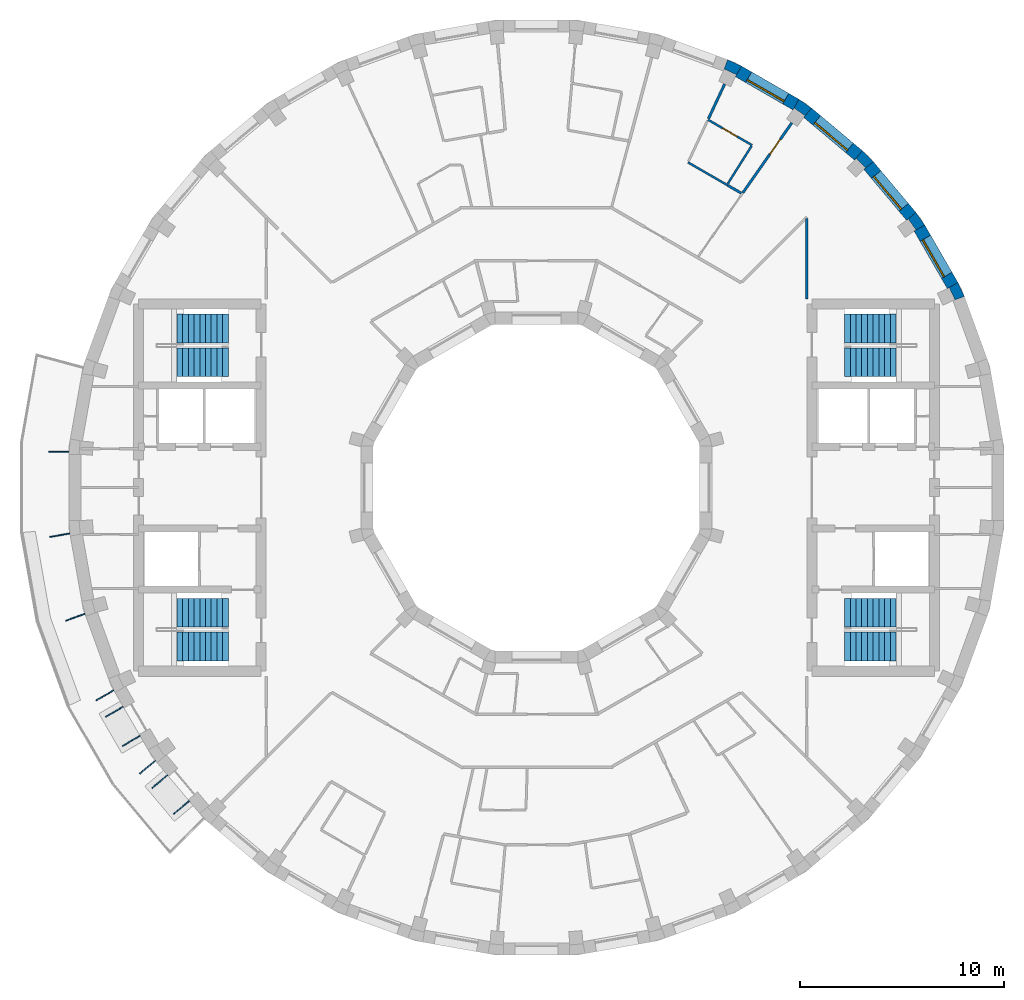
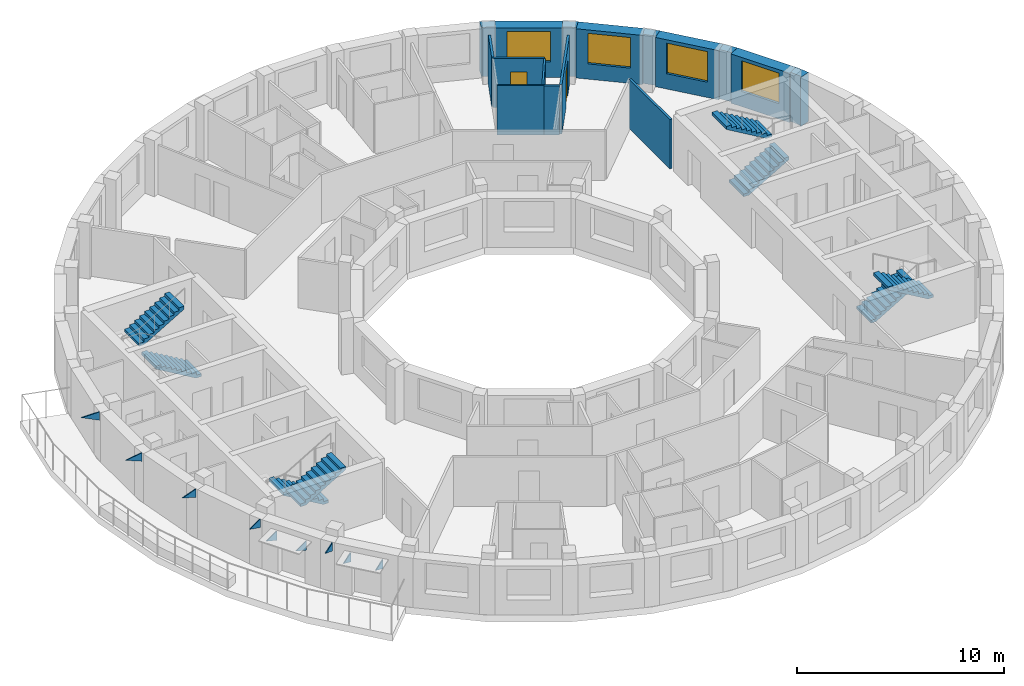
# One storey, part 9 of 10: 16 walls, 9 discrete accessories, 8 stair flights, 4 windows, 2 doors, 6 openings, 4 elements without a shape of their own.
"""IFC4 building model written with IfcOpenShell, lengths in metres."""

from ifc_helpers import new_model, si_unit, direction, frame, frame_2d, origin, place, context, subcontext, project, spatial, polyline, rectangle, outline, extrude, material, layer, layer_set, type_object, element, fill, aggregate, save


model = new_model("IFC4")

# Units and contexts
model_context = context("Model", 3, precision=1e-05, world=origin(), true_north=direction((0.0, 1.0)))
body_context = subcontext(model_context, "Body", "Model", "MODEL_VIEW")
ifc_project = project(units=[si_unit("LENGTHUNIT", "METRE"), si_unit("AREAUNIT", "SQUARE_METRE"), si_unit("VOLUMEUNIT", "CUBIC_METRE"), si_unit("PLANEANGLEUNIT", "RADIAN"), si_unit("MASSUNIT", "GRAM", prefix="KILO")], contexts=[model_context])

# Site, building, storey
site_placement = place(None, origin())
site = spatial("IfcSite", under=ifc_project, at=site_placement, CompositionType="ELEMENT")
building_placement = place(site_placement, origin())
building = spatial("IfcBuilding", under=site, at=building_placement, Name="Saqina Gate Tower", CompositionType="ELEMENT")
storey_placement = place(building_placement, frame((0.0, 0.0, 252.800048828125)))
storey = spatial("IfcBuildingStorey", under=building, at=storey_placement, Name="L72", CompositionType="ELEMENT", Elevation=252.800048828125)

# Walls
ifc_material_1 = material(Name="Brick masonry (buff)", Category="masonry")
wall_type_1 = type_object("IfcWallType", Name="BRICK PIER COPING BUFF", PredefinedType="SOLIDWALL", material=ifc_material_1)
wall_1_placement = place(storey_placement, origin())
element("IfcWall", 1, at=wall_1_placement, inside=storey, type_object=wall_type_1, Name="Pier cap L72 column 3", PredefinedType="SOLIDWALL", context=body_context, shape_type="SweptSolid", body=[
    extrude(outline(polyline([(20.974609375, 9.3642578125), (20.65576171875, 10.048095703125), (20.135986328125, 9.748291015625), (20.23193359375, 9.79296875), (20.506591796875, 9.203857421875), (20.410888671875, 9.1591796875), (20.974609375, 9.3642578125)])), origin(), (0.0, 0.0, 1.0), 2.89990234375),
])
wall_2_placement = place(storey_placement, origin())
element("IfcWall", 2, at=wall_2_placement, inside=storey, type_object=wall_type_1, Name="Pier cap L72 column 4", PredefinedType="SOLIDWALL", context=body_context, shape_type="SweptSolid", body=[
    extrude(outline(polyline([(19.02978515625, 12.8642578125), (18.59716796875, 13.482421875), (18.137451171875, 13.0966796875), (18.22412109375, 13.157470703125), (18.596923828125, 12.625), (18.51025390625, 12.564208984375), (19.02978515625, 12.8642578125)])), origin(), (0.0, 0.0, 1.0), 2.89990234375),
])
wall_3_placement = place(storey_placement, origin())
element("IfcWall", 3, at=wall_3_placement, inside=storey, type_object=wall_type_1, Name="Pier cap L72 column 5", PredefinedType="SOLIDWALL", context=body_context, shape_type="SweptSolid", body=[
    extrude(outline(polyline([(15.973388671875, 16.5068359375), (15.587646484375, 16.04736328125), (15.662353515625, 16.1220703125), (16.1220703125, 15.662353515625), (16.04736328125, 15.587646484375), (16.5068359375, 15.973388671875), (15.973388671875, 16.5068359375)])), origin(), (0.0, 0.0, 1.0), 2.89990234375),
])
wall_4_placement = place(storey_placement, origin())
element("IfcWall", 4, at=wall_4_placement, inside=storey, type_object=wall_type_1, Name="Pier cap L72 column 6", PredefinedType="SOLIDWALL", context=body_context, shape_type="SweptSolid", body=[
    extrude(outline(polyline([(12.8642578125, 19.02978515625), (12.564208984375, 18.51025390625), (12.625, 18.596923828125), (13.157470703125, 18.22412109375), (13.0966796875, 18.137451171875), (13.482421875, 18.59716796875), (12.8642578125, 19.02978515625)])), origin(), (0.0, 0.0, 1.0), 2.89990234375),
])
wall_5_placement = place(storey_placement, origin())
element("IfcWall", 5, at=wall_5_placement, inside=storey, type_object=wall_type_1, Name="Pier cap L72 column 7", PredefinedType="SOLIDWALL", context=body_context, shape_type="SweptSolid", body=[
    extrude(outline(polyline([(10.048095703125, 20.65576171875), (9.3642578125, 20.974609375), (9.1591796875, 20.410888671875), (9.203857421875, 20.506591796875), (9.79296875, 20.23193359375), (9.748291015625, 20.135986328125), (10.048095703125, 20.65576171875)])), origin(), (0.0, 0.0, 1.0), 2.89990234375),
])

# Wall, opening, window
ifc_material_2 = material(Name="Brick masonry (buff)", Category="masonry")
ifc_layer_1 = layer(ifc_material_2, 0.60009765625)
ifc_layer_set_1 = layer_set([ifc_layer_1], Name="FW-BRICK-BUFF")
wall_type_2 = type_object("IfcWallType", Name="FW-BRICK-BUFF", PredefinedType="SOLIDWALL", material=ifc_layer_set_1)
wall_6_placement = place(storey_placement, frame((20.39599609375, 9.898193359375, 0.0), z_axis=(0.0, 0.0, 1.0), x_axis=(-0.500014901547, 0.866016800201, 0.0)))
wall_6 = element("IfcWall", 6, at=wall_6_placement, inside=storey, type_object=wall_type_2, Name="Facade wall L72 facet 3", PredefinedType="SOLIDWALL", context=body_context, shape_type="SweptSolid", body=[
    extrude(rectangle(XDim=3.251953125, YDim=0.60009765625, at=frame_2d((1.6259765625, 0.0))), origin(), (0.0, 0.0, 1.0), 2.89990234375),
])
opening_1_placement = place(wall_6_placement, frame((0.57568359375, 0.0, 0.89990234375)))
opening_1 = element("IfcOpeningElement", 7, at=opening_1_placement, cuts=wall_6, Name="Opening G21-W01", PredefinedType="OPENING", context=body_context, shape_type="SweptSolid", body=[
    extrude(rectangle(XDim=2.10009765625, YDim=1.800048828125, at=frame_2d((1.050048828125, 0.89990234375))), frame((0.0, 0.31201171875, 0.0), z_axis=(0.0, -1.0, 0.0), x_axis=(1.0, 0.0, 0.0)), (0.0, 0.0, 1.0), 0.6240234375),
])
ifc_material_3 = material(Name="Aluminium glazing", Category="aluminium")
window_type = type_object("IfcWindowType", Name="WN-D", PartitioningType="SINGLE_PANEL", PredefinedType="WINDOW", material=ifc_material_3)
window_1_placement = place(opening_1_placement, origin())
window_1 = element("IfcWindow", 8, at=window_1_placement, inside=storey, type_object=window_type, Name="Window L72 facet 3", OverallHeight=1.800048828125, OverallWidth=2.10009765625, PartitioningType="SINGLE_PANEL", PredefinedType="WINDOW", context=body_context, shape_type="SweptSolid", body=[
    extrude(rectangle(XDim=2.10009765625, YDim=1.800048828125, at=frame_2d((1.050048828125, 0.89990234375))), frame((0.0, 0.179931640625, 0.0), z_axis=(0.0, -1.0, 0.0), x_axis=(1.0, 0.0, 0.0)), (0.0, 0.0, 1.0), 0.06005859375),
])
fill(opening_1, window_1)

wall_7_placement = place(storey_placement, frame((18.3671875, 13.28955078125, 0.0), z_axis=(0.0, 0.0, 1.0), x_axis=(-0.64277291405, 0.766056773982, 0.0)))
wall_7 = element("IfcWall", 9, at=wall_7_placement, inside=storey, type_object=wall_type_2, Name="Facade wall L72 facet 4", PredefinedType="SOLIDWALL", context=body_context, shape_type="SweptSolid", body=[
    extrude(rectangle(XDim=3.251708984375, YDim=0.60009765625, at=frame_2d((1.6259765625, 0.0))), origin(), (0.0, 0.0, 1.0), 2.89990234375),
])
opening_2_placement = place(wall_7_placement, frame((0.57568359375, 0.0, 0.89990234375)))
opening_2 = element("IfcOpeningElement", 10, at=opening_2_placement, cuts=wall_7, Name="Opening G21-W02", PredefinedType="OPENING", context=body_context, shape_type="SweptSolid", body=[
    extrude(rectangle(XDim=2.10009765625, YDim=1.800048828125, at=frame_2d((1.050048828125, 0.89990234375))), frame((0.0, 0.31201171875, 0.0), z_axis=(0.0, -1.0, 0.0), x_axis=(1.0, 0.0, 0.0)), (0.0, 0.0, 1.0), 0.6240234375),
])
window_2_placement = place(opening_2_placement, origin())
window_2 = element("IfcWindow", 11, at=window_2_placement, inside=storey, type_object=window_type, Name="Window L72 facet 4", OverallHeight=1.800048828125, OverallWidth=2.10009765625, PartitioningType="SINGLE_PANEL", PredefinedType="WINDOW", context=body_context, shape_type="SweptSolid", body=[
    extrude(rectangle(XDim=2.10009765625, YDim=1.800048828125, at=frame_2d((1.050048828125, 0.89990234375))), frame((0.0, 0.179931640625, 0.0), z_axis=(0.0, -1.0, 0.0), x_axis=(1.0, 0.0, 0.0)), (0.0, 0.0, 1.0), 0.06005859375),
])
fill(opening_2, window_2)

wall_8_placement = place(storey_placement, frame((15.780517578125, 16.277099609375, 0.0), z_axis=(0.0, 0.0, 1.0), x_axis=(-0.766056773982, 0.64277291405, 0.0)))
wall_8 = element("IfcWall", 12, at=wall_8_placement, inside=storey, type_object=wall_type_2, Name="Facade wall L72 facet 5", PredefinedType="SOLIDWALL", context=body_context, shape_type="SweptSolid", body=[
    extrude(rectangle(XDim=3.251708984375, YDim=0.60009765625, at=frame_2d((1.6259765625, 0.0))), origin(), (0.0, 0.0, 1.0), 2.89990234375),
])
opening_3_placement = place(wall_8_placement, frame((0.57568359375, 0.0, 0.89990234375)))
opening_3 = element("IfcOpeningElement", 13, at=opening_3_placement, cuts=wall_8, Name="Opening G21-W03", PredefinedType="OPENING", context=body_context, shape_type="SweptSolid", body=[
    extrude(rectangle(XDim=2.10009765625, YDim=1.800048828125, at=frame_2d((1.050048828125, 0.89990234375))), frame((0.0, 0.31201171875, 0.0), z_axis=(0.0, -1.0, 0.0), x_axis=(1.0, 0.0, 0.0)), (0.0, 0.0, 1.0), 0.6240234375),
])
window_3_placement = place(opening_3_placement, origin())
window_3 = element("IfcWindow", 14, at=window_3_placement, inside=storey, type_object=window_type, Name="Window L72 facet 5", OverallHeight=1.800048828125, OverallWidth=2.10009765625, PartitioningType="SINGLE_PANEL", PredefinedType="WINDOW", context=body_context, shape_type="SweptSolid", body=[
    extrude(rectangle(XDim=2.10009765625, YDim=1.800048828125, at=frame_2d((1.050048828125, 0.89990234375))), frame((0.0, 0.179931640625, 0.0), z_axis=(0.0, -1.0, 0.0), x_axis=(1.0, 0.0, 0.0)), (0.0, 0.0, 1.0), 0.06005859375),
])
fill(opening_3, window_3)

wall_9_placement = place(storey_placement, frame((12.71435546875, 18.77001953125, 0.0), z_axis=(0.0, 0.0, 1.0), x_axis=(-0.866016800201, 0.500014901547, 0.0)))
wall_9 = element("IfcWall", 15, at=wall_9_placement, inside=storey, type_object=wall_type_2, Name="Facade wall L72 facet 6", PredefinedType="SOLIDWALL", context=body_context, shape_type="SweptSolid", body=[
    extrude(rectangle(XDim=3.251953125, YDim=0.60009765625, at=frame_2d((1.6259765625, 0.0))), origin(), (0.0, 0.0, 1.0), 2.89990234375),
])
opening_4_placement = place(wall_9_placement, frame((0.57568359375, 0.0, 0.89990234375)))
opening_4 = element("IfcOpeningElement", 16, at=opening_4_placement, cuts=wall_9, Name="Opening G21-W04", PredefinedType="OPENING", context=body_context, shape_type="SweptSolid", body=[
    extrude(rectangle(XDim=2.10009765625, YDim=1.800048828125, at=frame_2d((1.050048828125, 0.89990234375))), frame((0.0, 0.31201171875, 0.0), z_axis=(0.0, -1.0, 0.0), x_axis=(1.0, 0.0, 0.0)), (0.0, 0.0, 1.0), 0.6240234375),
])
window_4_placement = place(opening_4_placement, origin())
window_4 = element("IfcWindow", 17, at=window_4_placement, inside=storey, type_object=window_type, Name="Window L72 facet 6", OverallHeight=1.800048828125, OverallWidth=2.10009765625, PartitioningType="SINGLE_PANEL", PredefinedType="WINDOW", context=body_context, shape_type="SweptSolid", body=[
    extrude(rectangle(XDim=2.10009765625, YDim=1.800048828125, at=frame_2d((1.050048828125, 0.89990234375))), frame((0.0, 0.179931640625, 0.0), z_axis=(0.0, -1.0, 0.0), x_axis=(1.0, 0.0, 0.0)), (0.0, 0.0, 1.0), 0.06005859375),
])
fill(opening_4, window_4)

# Wall
ifc_material_4 = material(Name="Gypsum board on steel studs, 100 mm", Category="steel")
ifc_layer_2 = layer(ifc_material_4, 0.10009765625)
ifc_layer_set_2 = layer_set([ifc_layer_2], Name="PARTITION 100")
wall_type_3 = type_object("IfcWallType", Name="PARTITION 100", PredefinedType="PARTITIONING", material=ifc_layer_set_2)
wall_10_placement = place(storey_placement, frame((7.430908203125, 15.930908203125, 0.0), z_axis=(0.0, 0.0, 1.0), x_axis=(0.866046587367, -0.499963307164, 0.0)))
element("IfcWall", 18, at=wall_10_placement, inside=storey, type_object=wall_type_3, Name="PARTITION PW3-18", PredefinedType="PARTITIONING", context=body_context, shape_type="SweptSolid", body=[
    extrude(rectangle(XDim=2.252197265625, YDim=0.10009765625, at=frame_2d((1.1259765625, 0.0))), origin(), (0.0, 0.0, 1.0), 2.89990234375),
])

# Wall, opening, door
wall_11_placement = place(storey_placement, frame((8.405029296875, 18.02490234375, 0.0), z_axis=(0.0, 0.0, 1.0), x_axis=(0.866060068719, -0.499939953764, 0.0)))
wall_11 = element("IfcWall", 19, at=wall_11_placement, inside=storey, type_object=wall_type_3, Name="PARTITION PW3-19", PredefinedType="PARTITIONING", context=body_context, shape_type="SweptSolid", body=[
    extrude(rectangle(XDim=2.493896484375, YDim=0.10009765625, at=frame_2d((1.2470703125, 0.0))), origin(), (0.0, 0.0, 1.0), 2.89990234375),
])
opening_5_placement = place(wall_11_placement, frame((0.84716796875, 0.0, 0.0)))
opening_5 = element("IfcOpeningElement", 20, at=opening_5_placement, cuts=wall_11, Name="Opening G21-D07", PredefinedType="OPENING", context=body_context, shape_type="SweptSolid", body=[
    extrude(rectangle(XDim=0.800048828125, YDim=2.10009765625, at=frame_2d((0.39990234375, 1.050048828125))), frame((0.0, 0.06201171875, 0.0), z_axis=(0.0, -1.0, 0.0), x_axis=(1.0, 0.0, 0.0)), (0.0, 0.0, 1.0), 0.1240234375),
])
ifc_material_5 = material(Name="Timber door leaf, 800 mm", Category="wood")
door_type_1 = type_object("IfcDoorType", Name="DOOR 800 TIMBER", OperationType="SINGLE_SWING_LEFT", PredefinedType="DOOR", material=ifc_material_5)
door_1_placement = place(opening_5_placement, origin())
door_1 = element("IfcDoor", 21, at=door_1_placement, inside=storey, type_object=door_type_1, Name="DOOR G21-D07", OperationType="SINGLE_SWING_RIGHT", OverallHeight=2.10009765625, OverallWidth=0.800048828125, PredefinedType="DOOR", context=body_context, shape_type="SweptSolid", body=[
    extrude(rectangle(XDim=0.800048828125, YDim=2.10009765625, at=frame_2d((0.39990234375, 1.050048828125))), frame((0.0, 0.02490234375, 0.0), z_axis=(0.0, -1.0, 0.0), x_axis=(1.0, 0.0, 0.0)), (0.0, 0.0, 1.0), 0.050048828125),
])
fill(opening_5, door_1)

# Walls
wall_12_placement = place(storey_placement, frame((9.371337890625, 14.8828125, 0.0), z_axis=(0.0, 0.0, 1.0), x_axis=(0.532952249521, 0.846145318329, 0.0)))
element("IfcWall", 22, at=wall_12_placement, inside=storey, type_object=wall_type_3, Name="PARTITION PW3-39", PredefinedType="PARTITIONING", context=body_context, shape_type="SweptSolid", body=[
    extrude(rectangle(XDim=2.189697265625, YDim=0.10009765625, at=frame_2d((1.0947265625, 0.0))), origin(), (0.0, 0.0, 1.0), 2.89990234375),
])
ifc_material_6 = material(Name="Gypsum board on steel studs, 125 mm, fire rated", Category="steel")
ifc_layer_3 = layer(ifc_material_6, 0.125)
ifc_layer_set_3 = layer_set([ifc_layer_3], Name="PARTITION EI 30 125")
wall_type_4 = type_object("IfcWallType", Name="PARTITION EI 30 125", PredefinedType="PARTITIONING", material=ifc_layer_set_3)
wall_13_placement = place(storey_placement, frame((9.38134765625, 14.804931640625, 0.0), z_axis=(0.0, 0.0, 1.0), x_axis=(0.866088799389, -0.499890179513, 0.0)))
element("IfcWall", 23, at=wall_13_placement, inside=storey, type_object=wall_type_4, Name="PARTITION PW1-13", PredefinedType="PARTITIONING", context=body_context, shape_type="SweptSolid", body=[
    extrude(rectangle(XDim=0.756103515625, YDim=0.125, at=frame_2d((0.3779296875, 0.0))), origin(), (0.0, 0.0, 1.0), 2.89990234375),
])

# Wall, opening, door
wall_14_placement = place(storey_placement, frame((10.111572265625, 14.44091796875, 0.0), z_axis=(0.0, 0.0, 1.0), x_axis=(0.57362673896, 0.819116819721, 0.0)))
wall_14 = element("IfcWall", 24, at=wall_14_placement, inside=storey, type_object=wall_type_4, Name="PARTITION PW1-32", PredefinedType="PARTITIONING", context=body_context, shape_type="SweptSolid", body=[
    extrude(rectangle(XDim=4.185791015625, YDim=0.125, at=frame_2d((2.0927734375, 0.0))), origin(), (0.0, 0.0, 1.0), 2.89990234375),
])
opening_6_placement = place(wall_14_placement, frame((2.309326171875, 0.0, 0.0)))
opening_6 = element("IfcOpeningElement", 25, at=opening_6_placement, cuts=wall_14, Name="Opening G21-D05", PredefinedType="OPENING", context=body_context, shape_type="SweptSolid", body=[
    extrude(rectangle(XDim=0.89990234375, YDim=2.10009765625, at=frame_2d((0.449951171875, 1.050048828125))), frame((0.0, 0.074462890625, 0.0), z_axis=(0.0, -1.0, 0.0), x_axis=(1.0, 0.0, 0.0)), (0.0, 0.0, 1.0), 0.14892578125),
])
ifc_material_7 = material(Name="Fire door leaf EI 30, 900 mm")
door_type_2 = type_object("IfcDoorType", Name="DOOR 900 EI 30", OperationType="SINGLE_SWING_LEFT", PredefinedType="DOOR", material=ifc_material_7)
door_2_placement = place(opening_6_placement, frame((0.89990234375, 0.0, 0.0), z_axis=(0.0, 0.0, 1.0), x_axis=(-1.0, 0.0, 0.0)))
door_2 = element("IfcDoor", 26, at=door_2_placement, inside=storey, type_object=door_type_2, Name="DOOR G21-D05", OperationType="SINGLE_SWING_LEFT", OverallHeight=2.10009765625, OverallWidth=0.89990234375, PredefinedType="DOOR", context=body_context, shape_type="SweptSolid", body=[
    extrude(rectangle(XDim=0.89990234375, YDim=2.10009765625, at=frame_2d((0.449951171875, 1.050048828125))), frame((0.0, 0.02490234375, 0.0), z_axis=(0.0, -1.0, 0.0), x_axis=(1.0, 0.0, 0.0)), (0.0, 0.0, 1.0), 0.050048828125),
])
fill(opening_6, door_2)

# Walls
wall_15_placement = place(storey_placement, frame((8.42626953125, 18.0703125, 0.0), z_axis=(0.0, 0.0, 1.0), x_axis=(0.423433748068, 0.905927072671, 0.0)))
element("IfcWall", 27, at=wall_15_placement, inside=storey, type_object=wall_type_4, Name="PARTITION PW1-34", PredefinedType="PARTITIONING", context=body_context, shape_type="SweptSolid", body=[
    extrude(rectangle(XDim=1.876708984375, YDim=0.125, at=frame_2d((0.9384765625, 0.0))), origin(), (0.0, 0.0, 1.0), 2.89990234375),
])
wall_16_placement = place(storey_placement, frame((13.25, 9.25, 0.0), z_axis=(0.0, 0.0, 1.0), x_axis=(0.0, 1.0, 0.0)))
element("IfcWall", 28, at=wall_16_placement, inside=storey, type_object=wall_type_4, Name="PARTITION PW1-39", PredefinedType="PARTITIONING", context=body_context, shape_type="SweptSolid", body=[
    extrude(rectangle(XDim=3.9375, YDim=0.125, at=frame_2d((1.96875, 0.0))), origin(), (0.0, 0.0, 1.0), 2.89990234375),
])

# Stair, stair flights
ifc_material_8 = material(Name="Concrete C40/50", Category="concrete")
stair_type = type_object("IfcStairType", Name="EXIT STAIR", PredefinedType="HALF_TURN_STAIR", material=ifc_material_8)
stair_1_placement = place(storey_placement, origin())
stair_1 = element("IfcStair", 29, at=stair_1_placement, inside=storey, type_object=stair_type, Name="EXIT STAIR 1", PredefinedType="HALF_TURN_STAIR")
ifc_material_9 = material(Name="Concrete C40/50", Category="concrete")
stair_flight_type = type_object("IfcStairFlightType", Name="EXIT STAIR FLIGHT", PredefinedType="STRAIGHT", material=ifc_material_9)
stair_flight_1_placement = place(storey_placement, frame((15.10009765625, 6.13330078125, 0.0), z_axis=(0.0, 0.0, 1.0), x_axis=(1.0, 0.0, 0.0)))
stair_flight_1 = element("IfcStairFlight", 30, at=stair_flight_1_placement, type_object=stair_flight_type, Name="EXIT STAIR 1 FLIGHT 1", NumberOfRisers=10, NumberOfTreads=9, PredefinedType="STRAIGHT", RiserHeight=0.165, TreadLength=0.28, context=body_context, shape_type="SweptSolid", body=[
    extrude(outline(polyline([(0.0, 0.0), (0.0, 0.1650390625), (0.280029296875, 0.1650390625), (0.280029296875, 0.330078125), (0.56005859375, 0.330078125), (0.56005859375, 0.4951171875), (0.840087890625, 0.4951171875), (0.840087890625, 0.659912109375), (1.1201171875, 0.659912109375), (1.1201171875, 0.824951171875), (1.39990234375, 0.824951171875), (1.39990234375, 0.989990234375), (1.679931640625, 0.989990234375), (1.679931640625, 1.155029296875), (1.9599609375, 1.155029296875), (1.9599609375, 1.320068359375), (2.239990234375, 1.320068359375), (2.239990234375, 1.485107421875), (2.52001953125, 1.485107421875), (2.52001953125, 1.64990234375), (2.52001953125, 1.31103515625), (0.295166015625, 0.0), (0.0, 0.0)])), frame((0.0, 0.699951171875, 0.0), z_axis=(0.0, -1.0, 0.0), x_axis=(1.0, 0.0, 0.0)), (0.0, 0.0, 1.0), 1.39990234375),
])
stair_flight_2_placement = place(storey_placement, frame((17.6201171875, 7.791748046875, 1.64990234375), z_axis=(0.0, 0.0, 1.0), x_axis=(-1.0, 0.0, 0.0)))
stair_flight_2 = element("IfcStairFlight", 31, at=stair_flight_2_placement, type_object=stair_flight_type, Name="EXIT STAIR 1 FLIGHT 2", NumberOfRisers=10, NumberOfTreads=9, PredefinedType="STRAIGHT", RiserHeight=0.165, TreadLength=0.28, context=body_context, shape_type="SweptSolid", body=[
    extrude(outline(polyline([(0.0, 0.0), (0.0, 0.1650390625), (0.280029296875, 0.1650390625), (0.280029296875, 0.330078125), (0.56005859375, 0.330078125), (0.56005859375, 0.4951171875), (0.840087890625, 0.4951171875), (0.840087890625, 0.659912109375), (1.1201171875, 0.659912109375), (1.1201171875, 0.824951171875), (1.39990234375, 0.824951171875), (1.39990234375, 0.989990234375), (1.679931640625, 0.989990234375), (1.679931640625, 1.155029296875), (1.9599609375, 1.155029296875), (1.9599609375, 1.320068359375), (2.239990234375, 1.320068359375), (2.239990234375, 1.485107421875), (2.52001953125, 1.485107421875), (2.52001953125, 1.64990234375), (2.52001953125, 1.31103515625), (0.295166015625, 0.0), (0.0, 0.0)])), frame((0.0, 0.699951171875, 0.0), z_axis=(0.0, -1.0, 0.0), x_axis=(1.0, 0.0, 0.0)), (0.0, 0.0, 1.0), 1.39990234375),
])
aggregate(stair_1, [stair_flight_1, stair_flight_2])

stair_2_placement = place(storey_placement, origin())
stair_2 = element("IfcStair", 32, at=stair_2_placement, inside=storey, type_object=stair_type, Name="EXIT STAIR 2", PredefinedType="HALF_TURN_STAIR")
stair_flight_3_placement = place(storey_placement, frame((15.10009765625, -6.13330078125, 0.0), z_axis=(0.0, 0.0, 1.0), x_axis=(1.0, 0.0, 0.0)))
stair_flight_3 = element("IfcStairFlight", 33, at=stair_flight_3_placement, type_object=stair_flight_type, Name="EXIT STAIR 2 FLIGHT 1", NumberOfRisers=10, NumberOfTreads=9, PredefinedType="STRAIGHT", RiserHeight=0.165, TreadLength=0.28, context=body_context, shape_type="SweptSolid", body=[
    extrude(outline(polyline([(0.0, 0.0), (0.0, 0.1650390625), (0.280029296875, 0.1650390625), (0.280029296875, 0.330078125), (0.56005859375, 0.330078125), (0.56005859375, 0.4951171875), (0.840087890625, 0.4951171875), (0.840087890625, 0.659912109375), (1.1201171875, 0.659912109375), (1.1201171875, 0.824951171875), (1.39990234375, 0.824951171875), (1.39990234375, 0.989990234375), (1.679931640625, 0.989990234375), (1.679931640625, 1.155029296875), (1.9599609375, 1.155029296875), (1.9599609375, 1.320068359375), (2.239990234375, 1.320068359375), (2.239990234375, 1.485107421875), (2.52001953125, 1.485107421875), (2.52001953125, 1.64990234375), (2.52001953125, 1.31103515625), (0.295166015625, 0.0), (0.0, 0.0)])), frame((0.0, 0.699951171875, 0.0), z_axis=(0.0, -1.0, 0.0), x_axis=(1.0, 0.0, 0.0)), (0.0, 0.0, 1.0), 1.39990234375),
])
stair_flight_4_placement = place(storey_placement, frame((17.6201171875, -7.791748046875, 1.64990234375), z_axis=(0.0, 0.0, 1.0), x_axis=(-1.0, 0.0, 0.0)))
stair_flight_4 = element("IfcStairFlight", 34, at=stair_flight_4_placement, type_object=stair_flight_type, Name="EXIT STAIR 2 FLIGHT 2", NumberOfRisers=10, NumberOfTreads=9, PredefinedType="STRAIGHT", RiserHeight=0.165, TreadLength=0.28, context=body_context, shape_type="SweptSolid", body=[
    extrude(outline(polyline([(0.0, 0.0), (0.0, 0.1650390625), (0.280029296875, 0.1650390625), (0.280029296875, 0.330078125), (0.56005859375, 0.330078125), (0.56005859375, 0.4951171875), (0.840087890625, 0.4951171875), (0.840087890625, 0.659912109375), (1.1201171875, 0.659912109375), (1.1201171875, 0.824951171875), (1.39990234375, 0.824951171875), (1.39990234375, 0.989990234375), (1.679931640625, 0.989990234375), (1.679931640625, 1.155029296875), (1.9599609375, 1.155029296875), (1.9599609375, 1.320068359375), (2.239990234375, 1.320068359375), (2.239990234375, 1.485107421875), (2.52001953125, 1.485107421875), (2.52001953125, 1.64990234375), (2.52001953125, 1.31103515625), (0.295166015625, 0.0), (0.0, 0.0)])), frame((0.0, 0.699951171875, 0.0), z_axis=(0.0, -1.0, 0.0), x_axis=(1.0, 0.0, 0.0)), (0.0, 0.0, 1.0), 1.39990234375),
])
aggregate(stair_2, [stair_flight_3, stair_flight_4])

stair_3_placement = place(storey_placement, origin())
stair_3 = element("IfcStair", 35, at=stair_3_placement, inside=storey, type_object=stair_type, Name="EXIT STAIR 3", PredefinedType="HALF_TURN_STAIR")
stair_flight_5_placement = place(storey_placement, frame((-15.10009765625, 6.13330078125, 0.0), z_axis=(0.0, 0.0, 1.0), x_axis=(-1.0, 0.0, 0.0)))
stair_flight_5 = element("IfcStairFlight", 36, at=stair_flight_5_placement, type_object=stair_flight_type, Name="EXIT STAIR 3 FLIGHT 1", NumberOfRisers=10, NumberOfTreads=9, PredefinedType="STRAIGHT", RiserHeight=0.165, TreadLength=0.28, context=body_context, shape_type="SweptSolid", body=[
    extrude(outline(polyline([(0.0, 0.0), (0.0, 0.1650390625), (0.280029296875, 0.1650390625), (0.280029296875, 0.330078125), (0.56005859375, 0.330078125), (0.56005859375, 0.4951171875), (0.840087890625, 0.4951171875), (0.840087890625, 0.659912109375), (1.1201171875, 0.659912109375), (1.1201171875, 0.824951171875), (1.39990234375, 0.824951171875), (1.39990234375, 0.989990234375), (1.679931640625, 0.989990234375), (1.679931640625, 1.155029296875), (1.9599609375, 1.155029296875), (1.9599609375, 1.320068359375), (2.239990234375, 1.320068359375), (2.239990234375, 1.485107421875), (2.52001953125, 1.485107421875), (2.52001953125, 1.64990234375), (2.52001953125, 1.31103515625), (0.295166015625, 0.0), (0.0, 0.0)])), frame((0.0, 0.699951171875, 0.0), z_axis=(0.0, -1.0, 0.0), x_axis=(1.0, 0.0, 0.0)), (0.0, 0.0, 1.0), 1.39990234375),
])
stair_flight_6_placement = place(storey_placement, frame((-17.6201171875, 7.791748046875, 1.64990234375), z_axis=(0.0, 0.0, 1.0), x_axis=(1.0, 0.0, 0.0)))
stair_flight_6 = element("IfcStairFlight", 37, at=stair_flight_6_placement, type_object=stair_flight_type, Name="EXIT STAIR 3 FLIGHT 2", NumberOfRisers=10, NumberOfTreads=9, PredefinedType="STRAIGHT", RiserHeight=0.165, TreadLength=0.28, context=body_context, shape_type="SweptSolid", body=[
    extrude(outline(polyline([(0.0, 0.0), (0.0, 0.1650390625), (0.280029296875, 0.1650390625), (0.280029296875, 0.330078125), (0.56005859375, 0.330078125), (0.56005859375, 0.4951171875), (0.840087890625, 0.4951171875), (0.840087890625, 0.659912109375), (1.1201171875, 0.659912109375), (1.1201171875, 0.824951171875), (1.39990234375, 0.824951171875), (1.39990234375, 0.989990234375), (1.679931640625, 0.989990234375), (1.679931640625, 1.155029296875), (1.9599609375, 1.155029296875), (1.9599609375, 1.320068359375), (2.239990234375, 1.320068359375), (2.239990234375, 1.485107421875), (2.52001953125, 1.485107421875), (2.52001953125, 1.64990234375), (2.52001953125, 1.31103515625), (0.295166015625, 0.0), (0.0, 0.0)])), frame((0.0, 0.699951171875, 0.0), z_axis=(0.0, -1.0, 0.0), x_axis=(1.0, 0.0, 0.0)), (0.0, 0.0, 1.0), 1.39990234375),
])
aggregate(stair_3, [stair_flight_5, stair_flight_6])

stair_4_placement = place(storey_placement, origin())
stair_4 = element("IfcStair", 38, at=stair_4_placement, inside=storey, type_object=stair_type, Name="EXIT STAIR 4", PredefinedType="HALF_TURN_STAIR")
stair_flight_7_placement = place(storey_placement, frame((-15.10009765625, -6.13330078125, 0.0), z_axis=(0.0, 0.0, 1.0), x_axis=(-1.0, 0.0, 0.0)))
stair_flight_7 = element("IfcStairFlight", 39, at=stair_flight_7_placement, type_object=stair_flight_type, Name="EXIT STAIR 4 FLIGHT 1", NumberOfRisers=10, NumberOfTreads=9, PredefinedType="STRAIGHT", RiserHeight=0.165, TreadLength=0.28, context=body_context, shape_type="SweptSolid", body=[
    extrude(outline(polyline([(0.0, 0.0), (0.0, 0.1650390625), (0.280029296875, 0.1650390625), (0.280029296875, 0.330078125), (0.56005859375, 0.330078125), (0.56005859375, 0.4951171875), (0.840087890625, 0.4951171875), (0.840087890625, 0.659912109375), (1.1201171875, 0.659912109375), (1.1201171875, 0.824951171875), (1.39990234375, 0.824951171875), (1.39990234375, 0.989990234375), (1.679931640625, 0.989990234375), (1.679931640625, 1.155029296875), (1.9599609375, 1.155029296875), (1.9599609375, 1.320068359375), (2.239990234375, 1.320068359375), (2.239990234375, 1.485107421875), (2.52001953125, 1.485107421875), (2.52001953125, 1.64990234375), (2.52001953125, 1.31103515625), (0.295166015625, 0.0), (0.0, 0.0)])), frame((0.0, 0.699951171875, 0.0), z_axis=(0.0, -1.0, 0.0), x_axis=(1.0, 0.0, 0.0)), (0.0, 0.0, 1.0), 1.39990234375),
])
stair_flight_8_placement = place(storey_placement, frame((-17.6201171875, -7.791748046875, 1.64990234375), z_axis=(0.0, 0.0, 1.0), x_axis=(1.0, 0.0, 0.0)))
stair_flight_8 = element("IfcStairFlight", 40, at=stair_flight_8_placement, type_object=stair_flight_type, Name="EXIT STAIR 4 FLIGHT 2", NumberOfRisers=10, NumberOfTreads=9, PredefinedType="STRAIGHT", RiserHeight=0.165, TreadLength=0.28, context=body_context, shape_type="SweptSolid", body=[
    extrude(outline(polyline([(0.0, 0.0), (0.0, 0.1650390625), (0.280029296875, 0.1650390625), (0.280029296875, 0.330078125), (0.56005859375, 0.330078125), (0.56005859375, 0.4951171875), (0.840087890625, 0.4951171875), (0.840087890625, 0.659912109375), (1.1201171875, 0.659912109375), (1.1201171875, 0.824951171875), (1.39990234375, 0.824951171875), (1.39990234375, 0.989990234375), (1.679931640625, 0.989990234375), (1.679931640625, 1.155029296875), (1.9599609375, 1.155029296875), (1.9599609375, 1.320068359375), (2.239990234375, 1.320068359375), (2.239990234375, 1.485107421875), (2.52001953125, 1.485107421875), (2.52001953125, 1.64990234375), (2.52001953125, 1.31103515625), (0.295166015625, 0.0), (0.0, 0.0)])), frame((0.0, 0.699951171875, 0.0), z_axis=(0.0, -1.0, 0.0), x_axis=(1.0, 0.0, 0.0)), (0.0, 0.0, 1.0), 1.39990234375),
])
aggregate(stair_4, [stair_flight_7, stair_flight_8])

# Discrete accessories
ifc_material_10 = material(Name="Galvanised steel", Category="steel")
ifc_layer_4 = layer(ifc_material_10, 0.050048828125)
ifc_layer_set_4 = layer_set([ifc_layer_4], Name="BR-AWNING")
discrete_accessory_type_1 = type_object("IfcDiscreteAccessoryType", Name="BR-AWNING", PredefinedType="BRACKET", material=ifc_layer_set_4)
for number, where, z_axis, x_axis, name in (
    (41, (-20.2431640625, -10.7626953125, 1.974853515625), (0.50002537861, -0.866010750942, 0.0), (0.0, 0.0, 1.0), "Awning bracket L72 facet 21"),
    (42, (-19.41748046875, -12.193115234375, 1.974853515625), (0.50002537861, -0.866010750942, 0.0), (0.0, 0.0, 1.0), "Awning bracket L72 facet 21"),
):
    element("IfcDiscreteAccessory", number, at=place(storey_placement, frame(where, z_axis=z_axis, x_axis=x_axis)), inside=storey, type_object=discrete_accessory_type_1, Name=name, PredefinedType="BRACKET", context=body_context, shape_type="SweptSolid", body=[
        extrude(outline(polyline([(0.0, 0.0), (0.550048828125, 0.0), (0.550048828125, 0.9999492453569568), (0.0, 0.0)])), origin(), (0.0, 0.0, -1.0), 0.050048828125),
    ])
discrete_accessory_1_placement = place(storey_placement, frame((-18.06689453125, -14.114501953125, 1.974853515625), z_axis=(0.64275098807, -0.766075170812, 0.0), x_axis=(0.0, 0.0, 1.0)))
element("IfcDiscreteAccessory", 43, at=discrete_accessory_1_placement, inside=storey, type_object=discrete_accessory_type_1, Name="Awning bracket L72 facet 22", PredefinedType="BRACKET", context=body_context, shape_type="SweptSolid", body=[
    extrude(outline(polyline([(0.0, 0.0), (0.550048828125, 0.0), (0.550048828125, 0.9997310574800564), (0.0, 0.0)])), origin(), (0.0, 0.0, -1.0), 0.050048828125),
])
discrete_accessory_2_placement = place(storey_placement, frame((-17.005126953125, -15.379638671875, 1.974853515625), z_axis=(0.642894271969, -0.765954930181, 0.0), x_axis=(0.0, 0.0, 1.0)))
element("IfcDiscreteAccessory", 44, at=discrete_accessory_2_placement, inside=storey, type_object=discrete_accessory_type_1, Name="Awning bracket L72 facet 22", PredefinedType="BRACKET", context=body_context, shape_type="SweptSolid", body=[
    extrude(outline(polyline([(0.0, 0.0), (0.550048828125, 0.0), (0.550048828125, 0.9998879966000863), (0.0, 0.0)])), origin(), (0.0, 0.0, -1.0), 0.050048828125),
])
ifc_material_11 = material(Name="Galvanised steel", Category="steel")
ifc_layer_5 = layer(ifc_material_11, 0.050048828125)
ifc_layer_set_5 = layer_set([ifc_layer_5], Name="BR-GUSSET")
discrete_accessory_type_2 = type_object("IfcDiscreteAccessoryType", Name="BR-GUSSET", PredefinedType="BRACKET", material=ifc_layer_set_5)
discrete_accessory_3_placement = place(storey_placement, frame((-22.91259765625, 1.7294921875, 2.39990234375), z_axis=(0.0, -1.0, 0.0), x_axis=(0.0, 0.0, 1.0)))
element("IfcDiscreteAccessory", 45, at=discrete_accessory_3_placement, inside=storey, type_object=discrete_accessory_type_2, Name="Terrace slab bracket L73 1", PredefinedType="BRACKET", context=body_context, shape_type="SweptSolid", body=[
    extrude(outline(polyline([(0.0, 0.0), (0.5, 0.0), (0.5, 1.0), (0.0, 0.0)])), origin(), (0.0, 0.0, -1.0), 0.050048828125),
])
discrete_accessory_4_placement = place(storey_placement, frame((-22.86474609375, -2.275390625, 2.39990234375), z_axis=(0.173813186416, -0.984778643263, 0.0), x_axis=(0.0, 0.0, 1.0)))
element("IfcDiscreteAccessory", 46, at=discrete_accessory_4_placement, inside=storey, type_object=discrete_accessory_type_2, Name="Terrace slab bracket L73 2", PredefinedType="BRACKET", context=body_context, shape_type="SweptSolid", body=[
    extrude(outline(polyline([(0.0, 0.0), (0.5, 0.0), (0.5, 1.000085946204391), (0.0, 0.0)])), origin(), (0.0, 0.0, -1.0), 0.050048828125),
])
discrete_accessory_5_placement = place(storey_placement, frame((-22.122314453125, -6.211181640625, 2.39990234375), z_axis=(0.342037080957, -0.939686455819, 0.0), x_axis=(0.0, 0.0, 1.0)))
element("IfcDiscreteAccessory", 47, at=discrete_accessory_5_placement, inside=storey, type_object=discrete_accessory_type_2, Name="Terrace slab bracket L73 3", PredefinedType="BRACKET", context=body_context, shape_type="SweptSolid", body=[
    extrude(outline(polyline([(0.0, 0.0), (0.5, 0.0), (0.5, 1.000011503630275), (0.0, 0.0)])), origin(), (0.0, 0.0, -1.0), 0.050048828125),
])
discrete_accessory_6_placement = place(storey_placement, frame((-20.70751953125, -9.95849609375, 2.39990234375), z_axis=(0.50002537861, -0.866010750942, 0.0), x_axis=(0.0, 0.0, 1.0)))
element("IfcDiscreteAccessory", 48, at=discrete_accessory_6_placement, inside=storey, type_object=discrete_accessory_type_2, Name="Terrace slab bracket L73 4", PredefinedType="BRACKET", context=body_context, shape_type="SweptSolid", body=[
    extrude(outline(polyline([(0.0, 0.0), (0.5, 0.0), (0.5, 0.9999492453569568), (0.0, 0.0)])), origin(), (0.0, 0.0, -1.0), 0.050048828125),
])
discrete_accessory_7_placement = place(storey_placement, frame((-18.663818359375, -13.40283203125, 2.39990234375), z_axis=(0.642894271969, -0.765954930181, 0.0), x_axis=(0.0, 0.0, 1.0)))
element("IfcDiscreteAccessory", 49, at=discrete_accessory_7_placement, inside=storey, type_object=discrete_accessory_type_2, Name="Terrace slab bracket L73 5", PredefinedType="BRACKET", context=body_context, shape_type="SweptSolid", body=[
    extrude(outline(polyline([(0.0, 0.0), (0.5, 0.0), (0.5, 0.9998879966000863), (0.0, 0.0)])), origin(), (0.0, 0.0, -1.0), 0.050048828125),
])

save(model, "model.ifc")
